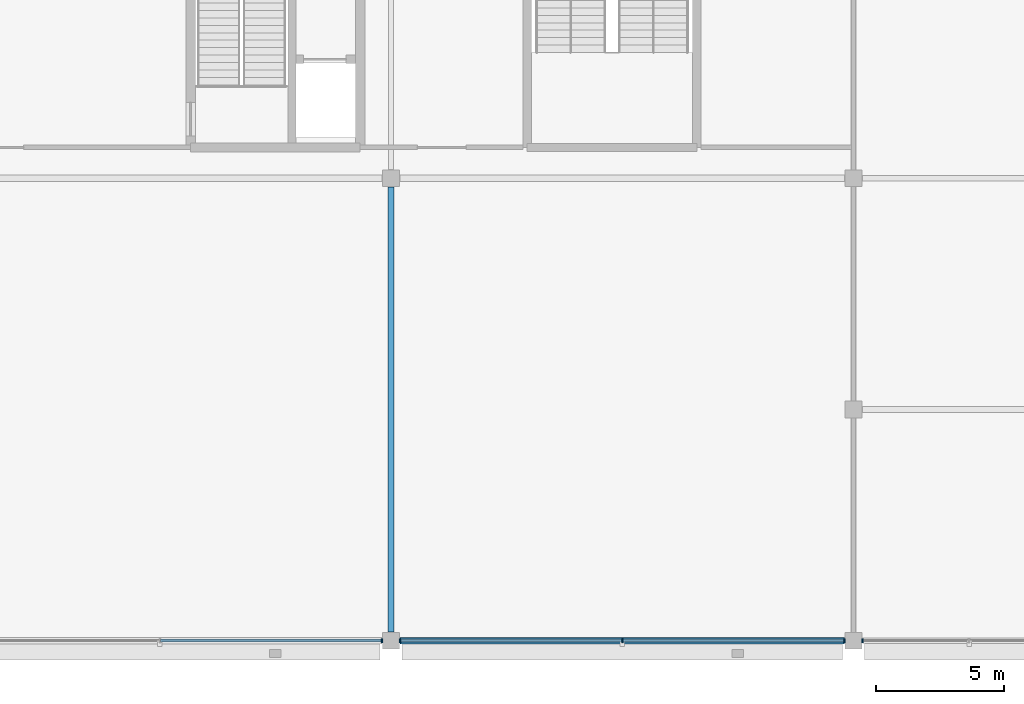
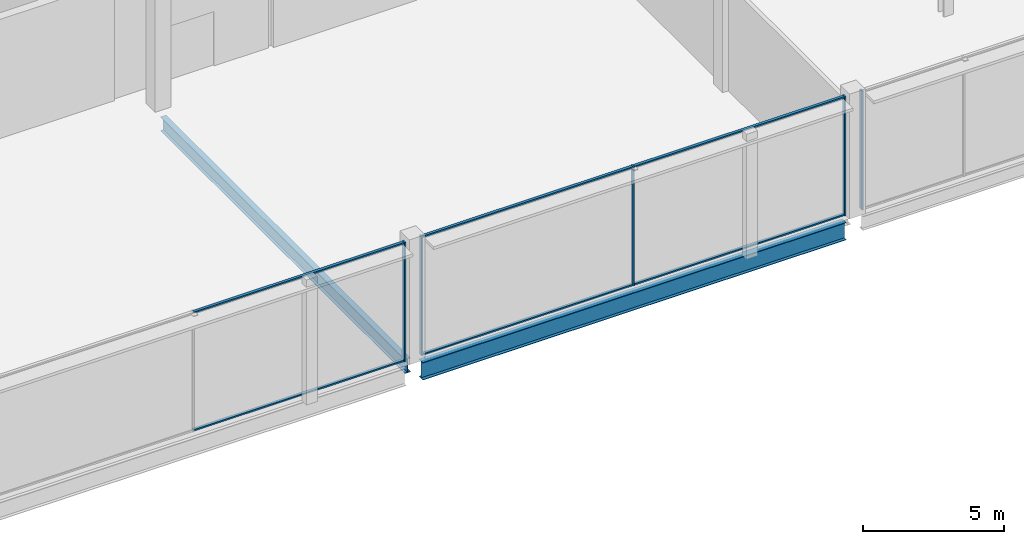
# One storey, part 45 of 113: 11 members, 2 beams, 3 elements without a shape of their own.
"""IFC4 building model written with IfcOpenShell, lengths in metres."""

from ifc_helpers import new_model, si_unit, direction, frame, origin, origin_2d, place, context, subcontext, project, spatial, rectangle, i_section, extrude, material, layer, layer_set, material_profile, profile_set, type_object, element, aggregate, save


model = new_model("IFC4")

# Units and contexts
model_context = context("Model", 3, precision=1e-05, world=origin(), true_north=direction((0.0, 1.0)))
body_context = subcontext(model_context, "Body", "Model", "MODEL_VIEW")
ifc_project = project(units=[si_unit("LENGTHUNIT", "METRE"), si_unit("AREAUNIT", "SQUARE_METRE"), si_unit("VOLUMEUNIT", "CUBIC_METRE"), si_unit("PLANEANGLEUNIT", "RADIAN"), si_unit("MASSUNIT", "GRAM", prefix="KILO")], contexts=[model_context])

# Site, building, storey
site_placement = place(None, origin())
site = spatial("IfcSite", under=ifc_project, at=site_placement, CompositionType="ELEMENT")
building_placement = place(site_placement, origin())
building = spatial("IfcBuilding", under=site, at=building_placement, Name="Kisiwana Market Hall", CompositionType="ELEMENT")
storey_placement = place(building_placement, frame((0.0, 0.0, 6.0)))
storey = spatial("IfcBuildingStorey", under=building, at=storey_placement, Name="L01", CompositionType="ELEMENT", Elevation=6.0)

# Beams
ifc_material_1 = material(Name="Steel S355", Category="steel")
ifc_material_profile_1 = material_profile(ifc_material_1, i_section(OverallWidth=0.22900390625, OverallDepth=0.6123046875, WebThickness=0.011962890625, FlangeThickness=0.01953125, at=origin_2d()), Name="UB 610x229x125")
ifc_profile_set_1 = profile_set([ifc_material_profile_1], Name="Steel S355")
beam_type_1 = type_object("IfcBeamType", Name="BM-GIRD-UB610H", PredefinedType="BEAM", material=ifc_profile_set_1)
beam_1_placement = place(storey_placement, frame((135.0, 0.345947265625, -0.55615234375), z_axis=(0.0, 1.0, 0.0), x_axis=(-1.0, 0.0, 0.0)))
element("IfcBeam", 1, at=beam_1_placement, inside=storey, type_object=beam_type_1, Name="Primary girder B-0385", PredefinedType="BEAM", context=body_context, shape_type="SweptSolid", body=[
    extrude(i_section(OverallWidth=0.22900390625, OverallDepth=0.6123046875, WebThickness=0.011962890625, FlangeThickness=0.01953125, at=origin_2d()), origin(), (0.0, 0.0, 1.0), 17.30810546875),
])
ifc_material_2 = material(Name="Steel S355", Category="steel")
ifc_material_profile_2 = material_profile(ifc_material_2, i_section(OverallWidth=0.2666015625, OverallDepth=0.76220703125, WebThickness=0.014404296875, FlangeThickness=0.021484375, at=origin_2d()), Name="UB 762x267x173")
ifc_profile_set_2 = profile_set([ifc_material_profile_2], Name="Steel S355")
beam_type_2 = type_object("IfcBeamType", Name="BM-GIRD-UB762", PredefinedType="BEAM", material=ifc_profile_set_2)
beam_2_placement = place(storey_placement, frame((135.345947265625, 0.0, -0.631103515625), z_axis=(1.0, 0.0, 0.0), x_axis=(0.0, 1.0, 0.0)))
element("IfcBeam", 2, at=beam_2_placement, inside=storey, type_object=beam_type_2, Name="Floor beam B-0458", PredefinedType="BEAM", context=body_context, shape_type="SweptSolid", body=[
    extrude(i_section(OverallWidth=0.2666015625, OverallDepth=0.76220703125, WebThickness=0.014404296875, FlangeThickness=0.021484375, at=origin_2d()), origin(), (0.0, 0.0, 1.0), 17.30810546875),
])

# Curtain wall, member
ifc_material_3 = material(Name="Double-glazed solar-control low-E IGU", Category="glass")
ifc_layer = layer(ifc_material_3, 0.159912109375)
ifc_layer_set = layer_set([ifc_layer], Name="CW-FC-S-7600")
curtain_wall_type = type_object("IfcCurtainWallType", Name="CW-FC-S-7600", PredefinedType="USERDEFINED", material=ifc_layer_set)
curtain_wall_1_placement = place(storey_placement, origin())
curtain_wall_1 = element("IfcCurtainWall", 3, at=curtain_wall_1_placement, inside=storey, type_object=curtain_wall_type, Name="Unitised curtain wall CW-012 (L01)", ObjectType="UNITISED CURTAIN WALL", PredefinedType="USERDEFINED")
ifc_material_4 = material(Name="Aluminium alloy 6063-T6", Category="aluminium")
ifc_material_profile_3 = material_profile(ifc_material_4, rectangle(XDim=0.06005859375, YDim=0.159912109375, at=origin_2d()), Name="ALU MULLION 60x160")
ifc_profile_set_3 = profile_set([ifc_material_profile_3], Name="Aluminium alloy 6063-T6")
member_type_1 = type_object("IfcMemberType", Name="CW-MULL-60x160", PredefinedType="MULLION", material=ifc_profile_set_3)
member_1_placement = place(storey_placement, frame((134.64501953125, 0.0, 0.0), z_axis=(0.0, 0.0, 1.0), x_axis=(1.0, 0.0, 0.0)))
member_1 = element("IfcMember", 4, at=member_1_placement, type_object=member_type_1, Name="CW-012 mullion 3", PredefinedType="MULLION", context=body_context, shape_type="SweptSolid", body=[
    extrude(rectangle(XDim=0.06005859375, YDim=0.159912109375, at=origin_2d()), origin(), (0.0, 0.0, 1.0), 5.14990234375),
])

# Curtain wall, members
curtain_wall_2_placement = place(storey_placement, origin())
curtain_wall_2 = element("IfcCurtainWall", 5, at=curtain_wall_2_placement, inside=storey, type_object=curtain_wall_type, Name="Unitised curtain wall CW-013 (L01)", ObjectType="UNITISED CURTAIN WALL", PredefinedType="USERDEFINED")
member_2_placement = place(storey_placement, frame((135.35498046875, 0.0, 0.0), z_axis=(0.0, 0.0, 1.0), x_axis=(1.0, 0.0, 0.0)))
member_2 = element("IfcMember", 6, at=member_2_placement, type_object=member_type_1, Name="CW-013 mullion 1", PredefinedType="MULLION", context=body_context, shape_type="SweptSolid", body=[
    extrude(rectangle(XDim=0.06005859375, YDim=0.159912109375, at=origin_2d()), origin(), (0.0, 0.0, 1.0), 5.14990234375),
])
member_3_placement = place(storey_placement, frame((144.0, 0.0, 0.0), z_axis=(0.0, 0.0, 1.0), x_axis=(1.0, 0.0, 0.0)))
member_3 = element("IfcMember", 7, at=member_3_placement, type_object=member_type_1, Name="CW-013 mullion 2", PredefinedType="MULLION", context=body_context, shape_type="SweptSolid", body=[
    extrude(rectangle(XDim=0.06005859375, YDim=0.159912109375, at=origin_2d()), origin(), (0.0, 0.0, 1.0), 5.14990234375),
])
member_4_placement = place(storey_placement, frame((152.64501953125, 0.0, 0.0), z_axis=(0.0, 0.0, 1.0), x_axis=(1.0, 0.0, 0.0)))
member_4 = element("IfcMember", 8, at=member_4_placement, type_object=member_type_1, Name="CW-013 mullion 3", PredefinedType="MULLION", context=body_context, shape_type="SweptSolid", body=[
    extrude(rectangle(XDim=0.06005859375, YDim=0.159912109375, at=origin_2d()), origin(), (0.0, 0.0, 1.0), 5.14990234375),
])

# Curtain wall, member
curtain_wall_3_placement = place(storey_placement, origin())
curtain_wall_3 = element("IfcCurtainWall", 9, at=curtain_wall_3_placement, inside=storey, type_object=curtain_wall_type, Name="Unitised curtain wall CW-014 (L01)", ObjectType="UNITISED CURTAIN WALL", PredefinedType="USERDEFINED")
member_5_placement = place(storey_placement, frame((153.35498046875, 0.0, 0.0), z_axis=(0.0, 0.0, 1.0), x_axis=(1.0, 0.0, 0.0)))
member_5 = element("IfcMember", 10, at=member_5_placement, type_object=member_type_1, Name="CW-014 mullion 1", PredefinedType="MULLION", context=body_context, shape_type="SweptSolid", body=[
    extrude(rectangle(XDim=0.06005859375, YDim=0.159912109375, at=origin_2d()), origin(), (0.0, 0.0, 1.0), 5.14990234375),
])
aggregate(curtain_wall_3, [member_5])

# Member
ifc_material_5 = material(Name="Aluminium alloy 6063-T6", Category="aluminium")
ifc_material_profile_4 = material_profile(ifc_material_5, rectangle(XDim=0.1201171875, YDim=0.06005859375, at=origin_2d()), Name="ALU TRANSOM 60x120")
ifc_profile_set_4 = profile_set([ifc_material_profile_4], Name="Aluminium alloy 6063-T6")
member_type_2 = type_object("IfcMemberType", Name="CW-TRAN-60x120", PredefinedType="USERDEFINED", material=ifc_profile_set_4)
member_6_placement = place(storey_placement, frame((126.030029296875, 0.0, 0.030029296875), z_axis=(1.0, 0.0, 0.0), x_axis=(0.0, 1.0, 0.0)))
member_6 = element("IfcMember", 11, at=member_6_placement, type_object=member_type_2, Name="CW-012 transom 2.1", ObjectType="TRANSOM", PredefinedType="USERDEFINED", context=body_context, shape_type="SweptSolid", body=[
    extrude(rectangle(XDim=0.1201171875, YDim=0.06005859375, at=origin_2d()), origin(), (0.0, 0.0, 1.0), 8.5849609375),
])

member_7_placement = place(storey_placement, frame((126.030029296875, 0.0, 5.1201171875), z_axis=(1.0, 0.0, 0.0), x_axis=(0.0, 1.0, 0.0)))
member_7 = element("IfcMember", 12, at=member_7_placement, type_object=member_type_2, Name="CW-012 transom 2.2", ObjectType="TRANSOM", PredefinedType="USERDEFINED", context=body_context, shape_type="SweptSolid", body=[
    extrude(rectangle(XDim=0.1201171875, YDim=0.06005859375, at=origin_2d()), origin(), (0.0, 0.0, 1.0), 8.5849609375),
])

aggregate(curtain_wall_1, [member_1, member_6, member_7])

member_8_placement = place(storey_placement, frame((135.385009765625, 0.0, 0.030029296875), z_axis=(1.0, 0.0, 0.0), x_axis=(0.0, 1.0, 0.0)))
member_8 = element("IfcMember", 13, at=member_8_placement, type_object=member_type_2, Name="CW-013 transom 1.1", ObjectType="TRANSOM", PredefinedType="USERDEFINED", context=body_context, shape_type="SweptSolid", body=[
    extrude(rectangle(XDim=0.1201171875, YDim=0.06005859375, at=origin_2d()), origin(), (0.0, 0.0, 1.0), 8.5849609375),
])

member_9_placement = place(storey_placement, frame((135.385009765625, 0.0, 5.1201171875), z_axis=(1.0, 0.0, 0.0), x_axis=(0.0, 1.0, 0.0)))
member_9 = element("IfcMember", 14, at=member_9_placement, type_object=member_type_2, Name="CW-013 transom 1.2", ObjectType="TRANSOM", PredefinedType="USERDEFINED", context=body_context, shape_type="SweptSolid", body=[
    extrude(rectangle(XDim=0.1201171875, YDim=0.06005859375, at=origin_2d()), origin(), (0.0, 0.0, 1.0), 8.5849609375),
])

member_10_placement = place(storey_placement, frame((144.030029296875, 0.0, 0.030029296875), z_axis=(1.0, 0.0, 0.0), x_axis=(0.0, 1.0, 0.0)))
member_10 = element("IfcMember", 15, at=member_10_placement, type_object=member_type_2, Name="CW-013 transom 2.1", ObjectType="TRANSOM", PredefinedType="USERDEFINED", context=body_context, shape_type="SweptSolid", body=[
    extrude(rectangle(XDim=0.1201171875, YDim=0.06005859375, at=origin_2d()), origin(), (0.0, 0.0, 1.0), 8.5849609375),
])

member_11_placement = place(storey_placement, frame((144.030029296875, 0.0, 5.1201171875), z_axis=(1.0, 0.0, 0.0), x_axis=(0.0, 1.0, 0.0)))
member_11 = element("IfcMember", 16, at=member_11_placement, type_object=member_type_2, Name="CW-013 transom 2.2", ObjectType="TRANSOM", PredefinedType="USERDEFINED", context=body_context, shape_type="SweptSolid", body=[
    extrude(rectangle(XDim=0.1201171875, YDim=0.06005859375, at=origin_2d()), origin(), (0.0, 0.0, 1.0), 8.5849609375),
])

aggregate(curtain_wall_2, [member_2, member_3, member_4, member_8, member_9, member_10, member_11])

save(model, "model.ifc")
